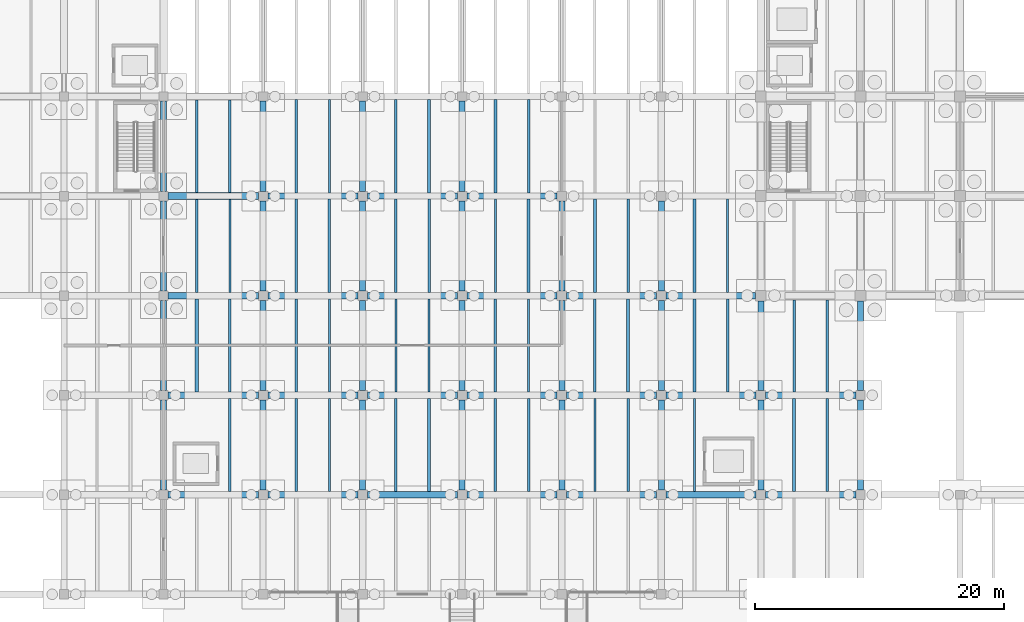
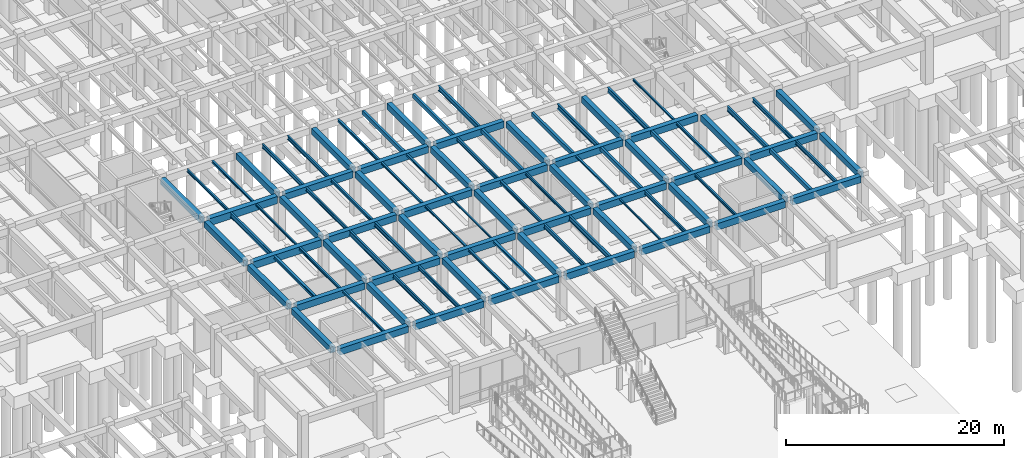
# One storey, part 15 of 44: 96 beams.
"""IFC4 building model written with IfcOpenShell, lengths in metres."""

from ifc_helpers import new_model, si_unit, direction, frame, origin, origin_2d, place, context, subcontext, project, spatial, rectangle, i_section, extrude, material, material_profile, profile_set, type_object, element, save


model = new_model("IFC4")

# Units and contexts
model_context = context("Model", 3, precision=1e-05, world=origin(), true_north=direction((0.0, 1.0)))
body_context = subcontext(model_context, "Body", "Model", "MODEL_VIEW")
ifc_project = project(units=[si_unit("LENGTHUNIT", "METRE"), si_unit("AREAUNIT", "SQUARE_METRE"), si_unit("VOLUMEUNIT", "CUBIC_METRE"), si_unit("PLANEANGLEUNIT", "RADIAN"), si_unit("MASSUNIT", "GRAM", prefix="KILO")], contexts=[model_context])

# Site, building, storey
site_placement = place(None, origin())
site = spatial("IfcSite", under=ifc_project, at=site_placement, CompositionType="ELEMENT")
building_placement = place(site_placement, origin())
building = spatial("IfcBuilding", under=site, at=building_placement, Name="Pecanmere Concourse Central Library", CompositionType="ELEMENT")
storey_placement = place(building_placement, frame((0.0, 0.0, -5.39990234375)))
storey = spatial("IfcBuildingStorey", under=building, at=storey_placement, Name="B1", CompositionType="ELEMENT", Elevation=-5.39990234375)

# Beams
ifc_material_1 = material(Name="Concrete C40/50", Category="concrete")
ifc_material_profile_1 = material_profile(ifc_material_1, rectangle(XDim=0.47998046875, YDim=0.679931640625, at=origin_2d()), Name="RC 480x680")
ifc_profile_set_1 = profile_set([ifc_material_profile_1], Name="Concrete C40/50")
beam_type_1 = type_object("IfcBeamType", Name="GRD_480x680", PredefinedType="USERDEFINED", material=ifc_profile_set_1)
for number, where, z_axis, x_axis, name in (
    (1, (64.0, 32.375, 4.639892578125), (0.0, 1.0, 0.0), (-1.0, 0.0, 0.0), "Primary Girder Y L01-0275"),
    (2, (64.0, 40.375, 4.639892578125), (0.0, 1.0, 0.0), (-1.0, 0.0, 0.0), "Primary Girder Y L01-0276"),
    (3, (64.0, 48.375, 4.639892578125), (0.0, 1.0, 0.0), (-1.0, 0.0, 0.0), "Primary Girder Y L01-0277"),
    (4, (64.0, 56.375, 4.639892578125), (0.0, 1.0, 0.0), (-1.0, 0.0, 0.0), "Primary Girder Y L01-0278"),
    (5, (72.0, 32.375, 4.639892578125), (0.0, 1.0, 0.0), (-1.0, 0.0, 0.0), "Primary Girder Y L01-0285"),
    (6, (72.0, 40.375, 4.639892578125), (0.0, 1.0, 0.0), (-1.0, 0.0, 0.0), "Primary Girder Y L01-0286"),
    (7, (72.0, 48.375, 4.639892578125), (0.0, 1.0, 0.0), (-1.0, 0.0, 0.0), "Primary Girder Y L01-0287"),
    (8, (72.0, 56.375, 4.639892578125), (0.0, 1.0, 0.0), (-1.0, 0.0, 0.0), "Primary Girder Y L01-0288"),
    (9, (80.0, 32.375, 4.639892578125), (0.0, 1.0, 0.0), (-1.0, 0.0, 0.0), "Primary Girder Y L01-0297"),
    (10, (80.0, 40.375, 4.639892578125), (0.0, 1.0, 0.0), (-1.0, 0.0, 0.0), "Primary Girder Y L01-0298"),
    (11, (80.0, 48.375, 4.639892578125), (0.0, 1.0, 0.0), (-1.0, 0.0, 0.0), "Primary Girder Y L01-0299"),
    (12, (80.0, 56.375, 4.639892578125), (0.0, 1.0, 0.0), (-1.0, 0.0, 0.0), "Primary Girder Y L01-0300"),
    (13, (88.0, 32.375, 4.639892578125), (0.0, 1.0, 0.0), (-1.0, 0.0, 0.0), "Primary Girder Y L01-0309"),
    (14, (88.0, 40.375, 4.639892578125), (0.0, 1.0, 0.0), (-1.0, 0.0, 0.0), "Primary Girder Y L01-0310"),
    (15, (88.0, 48.375, 4.639892578125), (0.0, 1.0, 0.0), (-1.0, 0.0, 0.0), "Primary Girder Y L01-0311"),
    (16, (88.0, 56.375, 4.639892578125), (0.0, 1.0, 0.0), (-1.0, 0.0, 0.0), "Primary Girder Y L01-0312"),
    (17, (96.0, 32.375, 4.639892578125), (0.0, 1.0, 0.0), (-1.0, 0.0, 0.0), "Primary Girder Y L01-0321"),
    (18, (96.0, 40.375, 4.639892578125), (0.0, 1.0, 0.0), (-1.0, 0.0, 0.0), "Primary Girder Y L01-0322"),
    (19, (96.0, 48.375, 4.639892578125), (0.0, 1.0, 0.0), (-1.0, 0.0, 0.0), "Primary Girder Y L01-0323"),
    (20, (104.0, 32.375, 4.639892578125), (0.0, 1.0, 0.0), (-1.0, 0.0, 0.0), "Primary Girder Y L01-0333"),
    (21, (104.0, 40.375, 4.639892578125), (0.0, 1.0, 0.0), (-1.0, 0.0, 0.0), "Primary Girder Y L01-0334"),
    (22, (104.0, 48.375, 4.639892578125), (0.0, 1.0, 0.0), (-1.0, 0.0, 0.0), "Primary Girder Y L01-0335"),
    (23, (112.0, 32.375, 4.639892578125), (0.0, 1.0, 0.0), (-1.0, 0.0, 0.0), "Primary Girder Y L01-0345"),
):
    element("IfcBeam", number, at=place(storey_placement, frame(where, z_axis=z_axis, x_axis=x_axis)), inside=storey, type_object=beam_type_1, Name=name, ObjectType="GIRDER", PredefinedType="USERDEFINED", context=body_context, shape_type="SweptSolid", body=[
        extrude(rectangle(XDim=0.47998046875, YDim=0.679931640625, at=origin_2d()), origin(), (0.0, 0.0, 1.0), 7.25),
    ])
beam_1_placement = place(storey_placement, frame((112.0, 40.375, 4.639892578125), z_axis=(0.0, 1.0, 0.0), x_axis=(-1.0, 0.0, 0.0)))
element("IfcBeam", 24, at=beam_1_placement, inside=storey, type_object=beam_type_1, Name="Primary Girder Y L01-0346", ObjectType="GIRDER", PredefinedType="USERDEFINED", context=body_context, shape_type="SweptSolid", body=[
    extrude(rectangle(XDim=0.47998046875, YDim=0.679931640625, at=origin_2d()), origin(), (0.0, 0.0, 1.0), 7.195068359375),
])
beam_2_placement = place(storey_placement, frame((120.0, 32.375, 4.639892578125), z_axis=(0.0, 1.0, 0.0), x_axis=(-1.0, 0.0, 0.0)))
element("IfcBeam", 25, at=beam_2_placement, inside=storey, type_object=beam_type_1, Name="Primary Girder Y L01-0355", ObjectType="GIRDER", PredefinedType="USERDEFINED", context=body_context, shape_type="SweptSolid", body=[
    extrude(rectangle(XDim=0.47998046875, YDim=0.679931640625, at=origin_2d()), origin(), (0.0, 0.0, 1.0), 7.25),
])
beam_3_placement = place(storey_placement, frame((120.0, 40.375, 4.639892578125), z_axis=(0.0, 1.0, 0.0), x_axis=(-1.0, 0.0, 0.0)))
element("IfcBeam", 26, at=beam_3_placement, inside=storey, type_object=beam_type_1, Name="Primary Girder Y L01-0356", ObjectType="GIRDER", PredefinedType="USERDEFINED", context=body_context, shape_type="SweptSolid", body=[
    extrude(rectangle(XDim=0.47998046875, YDim=0.679931640625, at=origin_2d()), origin(), (0.0, 0.0, 1.0), 7.195068359375),
])
ifc_material_2 = material(Name="Concrete C40/50", Category="concrete")
ifc_material_profile_2 = material_profile(ifc_material_2, rectangle(XDim=0.5, YDim=0.739990234375, at=origin_2d()), Name="RC 500x740")
ifc_profile_set_2 = profile_set([ifc_material_profile_2], Name="Concrete C40/50")
beam_type_2 = type_object("IfcBeamType", Name="GRD_500x740", PredefinedType="USERDEFINED", material=ifc_profile_set_2)
for number, where, z_axis, x_axis, name in (
    (27, (64.375, 32.0, 4.60986328125), (1.0, 0.0, 0.0), (0.0, 1.0, 0.0), "Primary Girder X L01-0064"),
    (28, (72.375, 32.0, 4.60986328125), (1.0, 0.0, 0.0), (0.0, 1.0, 0.0), "Primary Girder X L01-0065"),
    (29, (80.375, 32.0, 4.60986328125), (1.0, 0.0, 0.0), (0.0, 1.0, 0.0), "Primary Girder X L01-0066"),
    (30, (88.375, 32.0, 4.60986328125), (1.0, 0.0, 0.0), (0.0, 1.0, 0.0), "Primary Girder X L01-0067"),
    (31, (96.375, 32.0, 4.60986328125), (1.0, 0.0, 0.0), (0.0, 1.0, 0.0), "Primary Girder X L01-0068"),
    (32, (104.375, 32.0, 4.60986328125), (1.0, 0.0, 0.0), (0.0, 1.0, 0.0), "Primary Girder X L01-0069"),
    (33, (112.375, 32.0, 4.60986328125), (1.0, 0.0, 0.0), (0.0, 1.0, 0.0), "Primary Girder X L01-0070"),
    (34, (64.375, 40.0, 4.60986328125), (1.0, 0.0, 0.0), (0.0, 1.0, 0.0), "Primary Girder X L01-0078"),
    (35, (72.375, 40.0, 4.60986328125), (1.0, 0.0, 0.0), (0.0, 1.0, 0.0), "Primary Girder X L01-0079"),
    (36, (80.375, 40.0, 4.60986328125), (1.0, 0.0, 0.0), (0.0, 1.0, 0.0), "Primary Girder X L01-0080"),
    (37, (88.375, 40.0, 4.60986328125), (1.0, 0.0, 0.0), (0.0, 1.0, 0.0), "Primary Girder X L01-0081"),
    (38, (96.375, 40.0, 4.60986328125), (1.0, 0.0, 0.0), (0.0, 1.0, 0.0), "Primary Girder X L01-0082"),
    (39, (104.375, 40.0, 4.60986328125), (1.0, 0.0, 0.0), (0.0, 1.0, 0.0), "Primary Girder X L01-0083"),
    (40, (112.375, 40.0, 4.60986328125), (1.0, 0.0, 0.0), (0.0, 1.0, 0.0), "Primary Girder X L01-0084"),
    (41, (72.375, 48.0, 4.60986328125), (1.0, 0.0, 0.0), (0.0, 1.0, 0.0), "Primary Girder X L01-0091"),
    (42, (80.375, 48.0, 4.60986328125), (1.0, 0.0, 0.0), (0.0, 1.0, 0.0), "Primary Girder X L01-0092"),
    (43, (88.375, 48.0, 4.60986328125), (1.0, 0.0, 0.0), (0.0, 1.0, 0.0), "Primary Girder X L01-0093"),
    (44, (96.375, 48.0, 4.60986328125), (1.0, 0.0, 0.0), (0.0, 1.0, 0.0), "Primary Girder X L01-0094"),
):
    element("IfcBeam", number, at=place(storey_placement, frame(where, z_axis=z_axis, x_axis=x_axis)), inside=storey, type_object=beam_type_2, Name=name, ObjectType="GIRDER", PredefinedType="USERDEFINED", context=body_context, shape_type="SweptSolid", body=[
        extrude(rectangle(XDim=0.5, YDim=0.739990234375, at=origin_2d()), origin(), (0.0, 0.0, 1.0), 7.25),
    ])
beam_4_placement = place(storey_placement, frame((104.375, 48.0, 4.60986328125), z_axis=(1.0, 0.0, 0.0), x_axis=(0.0, 1.0, 0.0)))
element("IfcBeam", 45, at=beam_4_placement, inside=storey, type_object=beam_type_2, Name="Primary Girder X L01-0095", ObjectType="GIRDER", PredefinedType="USERDEFINED", context=body_context, shape_type="SweptSolid", body=[
    extrude(rectangle(XDim=0.5, YDim=0.739990234375, at=origin_2d()), origin(), (0.0, 0.0, 1.0), 7.195068359375),
])
for number, where, z_axis, x_axis, name in (
    (46, (72.375, 56.0, 4.60986328125), (1.0, 0.0, 0.0), (0.0, 1.0, 0.0), "Primary Girder X L01-0107"),
    (47, (80.375, 56.0, 4.60986328125), (1.0, 0.0, 0.0), (0.0, 1.0, 0.0), "Primary Girder X L01-0108"),
    (48, (88.375, 56.0, 4.60986328125), (1.0, 0.0, 0.0), (0.0, 1.0, 0.0), "Primary Girder X L01-0109"),
):
    element("IfcBeam", number, at=place(storey_placement, frame(where, z_axis=z_axis, x_axis=x_axis)), inside=storey, type_object=beam_type_2, Name=name, ObjectType="GIRDER", PredefinedType="USERDEFINED", context=body_context, shape_type="SweptSolid", body=[
        extrude(rectangle(XDim=0.5, YDim=0.739990234375, at=origin_2d()), origin(), (0.0, 0.0, 1.0), 7.25),
    ])
ifc_material_3 = material(Name="Concrete C40/50", Category="concrete")
ifc_material_profile_3 = material_profile(ifc_material_3, rectangle(XDim=0.5400390625, YDim=0.800048828125, at=origin_2d()), Name="RC 540x800")
ifc_profile_set_3 = profile_set([ifc_material_profile_3], Name="Concrete C40/50")
beam_type_3 = type_object("IfcBeamType", Name="GRD_540x800", PredefinedType="USERDEFINED", material=ifc_profile_set_3)
for number, where, z_axis, x_axis, name in (
    (49, (64.375, 48.0, 4.579833984375), (1.0, 0.0, 0.0), (0.0, 1.0, 0.0), "Primary Girder X L01-0090"),
    (50, (64.375, 56.0, 4.579833984375), (1.0, 0.0, 0.0), (0.0, 1.0, 0.0), "Primary Girder X L01-0106"),
):
    element("IfcBeam", number, at=place(storey_placement, frame(where, z_axis=z_axis, x_axis=x_axis)), inside=storey, type_object=beam_type_3, Name=name, ObjectType="GIRDER", PredefinedType="USERDEFINED", context=body_context, shape_type="SweptSolid", body=[
        extrude(rectangle(XDim=0.5400390625, YDim=0.800048828125, at=origin_2d()), origin(), (0.0, 0.0, 1.0), 7.25),
    ])
ifc_material_4 = material(Name="Concrete C40/50", Category="concrete")
ifc_material_profile_4 = material_profile(ifc_material_4, rectangle(XDim=0.25, YDim=0.449951171875, at=origin_2d()), Name="RC 250x450")
ifc_profile_set_4 = profile_set([ifc_material_profile_4], Name="Concrete C40/50")
beam_type_4 = type_object("IfcBeamType", Name="JST_RC_250x450", PredefinedType="JOIST", material=ifc_profile_set_4)
for number, where, z_axis, x_axis, name in (
    (51, (85.333251953125, 56.25, 4.7548828125), (0.0, 1.0, 0.0), (-1.0, 0.0, 0.0), "Secondary Floor Joist L01-0573"),
    (52, (93.333251953125, 48.25, 4.7548828125), (0.0, 1.0, 0.0), (-1.0, 0.0, 0.0), "Secondary Floor Joist L01-0595"),
    (53, (90.666748046875, 56.25, 4.7548828125), (0.0, 1.0, 0.0), (-1.0, 0.0, 0.0), "Secondary Floor Joist L01-0596"),
    (54, (101.333251953125, 40.25, 4.7548828125), (0.0, 1.0, 0.0), (-1.0, 0.0, 0.0), "Secondary Floor Joist L01-0617"),
    (55, (98.666748046875, 48.25, 4.7548828125), (0.0, 1.0, 0.0), (-1.0, 0.0, 0.0), "Secondary Floor Joist L01-0618"),
    (56, (106.666748046875, 40.25, 4.7548828125), (0.0, 1.0, 0.0), (-1.0, 0.0, 0.0), "Secondary Floor Joist L01-0636"),
    (57, (114.666748046875, 32.25, 4.7548828125), (0.0, 1.0, 0.0), (-1.0, 0.0, 0.0), "Secondary Floor Joist L01-0652"),
):
    element("IfcBeam", number, at=place(storey_placement, frame(where, z_axis=z_axis, x_axis=x_axis)), inside=storey, type_object=beam_type_4, Name=name, PredefinedType="JOIST", context=body_context, shape_type="SweptSolid", body=[
        extrude(rectangle(XDim=0.25, YDim=0.449951171875, at=origin_2d()), origin(), (0.0, 0.0, 1.0), 7.5),
    ])
ifc_material_5 = material(Name="Structural steel ASTM A992 Grade 50", Category="steel")
ifc_material_profile_5 = material_profile(ifc_material_5, i_section(OverallWidth=0.152099609375, OverallDepth=0.152099609375, WebThickness=0.005859375, FlangeThickness=0.006591796875, at=origin_2d()), Name="W150x22.5")
ifc_profile_set_5 = profile_set([ifc_material_profile_5], Name="Structural steel ASTM A992 Grade 50")
beam_type_5 = type_object("IfcBeamType", Name="SBM_W150x22", PredefinedType="LINTEL", material=ifc_profile_set_5)
for number, where, z_axis, x_axis, name in (
    (58, (85.333251953125, 40.25, 4.90380859375), (0.0, 1.0, 0.0), (-1.0, 0.0, 0.0), "Secondary Floor Joist L01-0569"),
    (59, (98.666748046875, 32.25, 4.90380859375), (0.0, 1.0, 0.0), (-1.0, 0.0, 0.0), "Secondary Floor Joist L01-0614"),
):
    element("IfcBeam", number, at=place(storey_placement, frame(where, z_axis=z_axis, x_axis=x_axis)), inside=storey, type_object=beam_type_5, Name=name, PredefinedType="LINTEL", context=body_context, shape_type="SweptSolid", body=[
        extrude(i_section(OverallWidth=0.152099609375, OverallDepth=0.152099609375, WebThickness=0.005859375, FlangeThickness=0.006591796875, at=origin_2d()), origin(), (0.0, 0.0, 1.0), 7.5),
    ])
ifc_material_6 = material(Name="Structural steel ASTM A992 Grade 50", Category="steel")
ifc_material_profile_6 = material_profile(ifc_material_6, i_section(OverallWidth=0.1650390625, OverallDepth=0.200927734375, WebThickness=0.006103515625, FlangeThickness=0.01025390625, at=origin_2d()), Name="W200x35.9")
ifc_profile_set_6 = profile_set([ifc_material_profile_6], Name="Structural steel ASTM A992 Grade 50")
beam_type_6 = type_object("IfcBeamType", Name="SBM_W200x36", PredefinedType="LINTEL", material=ifc_profile_set_6)
beam_5_placement = place(storey_placement, frame((69.333251953125, 48.27001953125, 4.87939453125), z_axis=(0.0, 1.0, 0.0), x_axis=(-1.0, 0.0, 0.0)))
element("IfcBeam", 60, at=beam_5_placement, inside=storey, type_object=beam_type_6, Name="Secondary Floor Joist L01-0532", PredefinedType="LINTEL", context=body_context, shape_type="SweptSolid", body=[
    extrude(i_section(OverallWidth=0.1650390625, OverallDepth=0.200927734375, WebThickness=0.006103515625, FlangeThickness=0.01025390625, at=origin_2d()), origin(), (0.0, 0.0, 1.0), 7.4599609375),
])
for number, where, z_axis, x_axis, name in (
    (61, (82.666748046875, 40.25, 4.87939453125), (0.0, 1.0, 0.0), (-1.0, 0.0, 0.0), "Secondary Floor Joist L01-0568"),
    (62, (109.333251953125, 48.25, 4.87939453125), (0.0, 1.0, 0.0), (-1.0, 0.0, 0.0), "Secondary Floor Joist L01-0639"),
):
    element("IfcBeam", number, at=place(storey_placement, frame(where, z_axis=z_axis, x_axis=x_axis)), inside=storey, type_object=beam_type_6, Name=name, PredefinedType="LINTEL", context=body_context, shape_type="SweptSolid", body=[
        extrude(i_section(OverallWidth=0.1650390625, OverallDepth=0.200927734375, WebThickness=0.006103515625, FlangeThickness=0.01025390625, at=origin_2d()), origin(), (0.0, 0.0, 1.0), 7.5),
    ])
ifc_material_7 = material(Name="Structural steel ASTM A992 Grade 50", Category="steel")
ifc_material_profile_7 = material_profile(ifc_material_7, i_section(OverallWidth=0.2041015625, OverallDepth=0.2060546875, WebThickness=0.0078125, FlangeThickness=0.0126953125, at=origin_2d()), Name="W200x52")
ifc_profile_set_7 = profile_set([ifc_material_profile_7], Name="Structural steel ASTM A992 Grade 50")
beam_type_7 = type_object("IfcBeamType", Name="SBM_W200x52", PredefinedType="JOIST", material=ifc_profile_set_7)
for number, where, z_axis, x_axis, name in (
    (63, (85.333251953125, 48.25, 4.876953125), (0.0, 1.0, 0.0), (-1.0, 0.0, 0.0), "Secondary Floor Joist L01-0571"),
    (64, (98.666748046875, 40.25, 4.876953125), (0.0, 1.0, 0.0), (-1.0, 0.0, 0.0), "Secondary Floor Joist L01-0616"),
):
    element("IfcBeam", number, at=place(storey_placement, frame(where, z_axis=z_axis, x_axis=x_axis)), inside=storey, type_object=beam_type_7, Name=name, PredefinedType="JOIST", context=body_context, shape_type="SweptSolid", body=[
        extrude(i_section(OverallWidth=0.2041015625, OverallDepth=0.2060546875, WebThickness=0.0078125, FlangeThickness=0.0126953125, at=origin_2d()), origin(), (0.0, 0.0, 1.0), 7.5),
    ])
ifc_material_8 = material(Name="Structural steel ASTM A992 Grade 50", Category="steel")
ifc_material_profile_8 = material_profile(ifc_material_8, i_section(OverallWidth=0.201904296875, OverallDepth=0.2470703125, WebThickness=0.00732421875, FlangeThickness=0.010986328125, at=origin_2d()), Name="W250x49.1")
ifc_profile_set_8 = profile_set([ifc_material_profile_8], Name="Structural steel ASTM A992 Grade 50")
beam_type_8 = type_object("IfcBeamType", Name="SBM_W250x49", PredefinedType="JOIST", material=ifc_profile_set_8)
beam_6_placement = place(storey_placement, frame((69.333251953125, 32.25, 4.8564453125), z_axis=(0.0, 1.0, 0.0), x_axis=(-1.0, 0.0, 0.0)))
element("IfcBeam", 65, at=beam_6_placement, inside=storey, type_object=beam_type_8, Name="Secondary Floor Joist L01-0528", PredefinedType="JOIST", context=body_context, shape_type="SweptSolid", body=[
    extrude(i_section(OverallWidth=0.201904296875, OverallDepth=0.2470703125, WebThickness=0.00732421875, FlangeThickness=0.010986328125, at=origin_2d()), origin(), (0.0, 0.0, 1.0), 7.5),
])
beam_7_placement = place(storey_placement, frame((69.333251953125, 56.27001953125, 4.8564453125), z_axis=(0.0, 1.0, 0.0), x_axis=(-1.0, 0.0, 0.0)))
element("IfcBeam", 66, at=beam_7_placement, inside=storey, type_object=beam_type_8, Name="Secondary Floor Joist L01-0534", PredefinedType="JOIST", context=body_context, shape_type="SweptSolid", body=[
    extrude(i_section(OverallWidth=0.201904296875, OverallDepth=0.2470703125, WebThickness=0.00732421875, FlangeThickness=0.010986328125, at=origin_2d()), origin(), (0.0, 0.0, 1.0), 7.4599609375),
])
beam_8_placement = place(storey_placement, frame((82.666748046875, 48.25, 4.8564453125), z_axis=(0.0, 1.0, 0.0), x_axis=(-1.0, 0.0, 0.0)))
element("IfcBeam", 67, at=beam_8_placement, inside=storey, type_object=beam_type_8, Name="Secondary Floor Joist L01-0570", PredefinedType="JOIST", context=body_context, shape_type="SweptSolid", body=[
    extrude(i_section(OverallWidth=0.201904296875, OverallDepth=0.2470703125, WebThickness=0.00732421875, FlangeThickness=0.010986328125, at=origin_2d()), origin(), (0.0, 0.0, 1.0), 7.5),
])
ifc_material_9 = material(Name="Structural steel ASTM A992 Grade 50", Category="steel")
ifc_material_profile_9 = material_profile(ifc_material_9, i_section(OverallWidth=0.25390625, OverallDepth=0.2529296875, WebThickness=0.008544921875, FlangeThickness=0.01416015625, at=origin_2d()), Name="W250x73")
ifc_profile_set_9 = profile_set([ifc_material_profile_9], Name="Structural steel ASTM A992 Grade 50")
beam_type_9 = type_object("IfcBeamType", Name="SBM_W250x73", PredefinedType="BEAM", material=ifc_profile_set_9)
beam_9_placement = place(storey_placement, frame((85.333251953125, 32.25, 4.853515625), z_axis=(0.0, 1.0, 0.0), x_axis=(-1.0, 0.0, 0.0)))
element("IfcBeam", 68, at=beam_9_placement, inside=storey, type_object=beam_type_9, Name="Secondary Floor Joist L01-0567", PredefinedType="BEAM", context=body_context, shape_type="SweptSolid", body=[
    extrude(i_section(OverallWidth=0.25390625, OverallDepth=0.2529296875, WebThickness=0.008544921875, FlangeThickness=0.01416015625, at=origin_2d()), origin(), (0.0, 0.0, 1.0), 7.5),
])
ifc_material_10 = material(Name="Structural steel ASTM A992 Grade 50", Category="steel")
ifc_material_profile_10 = material_profile(ifc_material_10, i_section(OverallWidth=0.1669921875, OverallDepth=0.31689453125, WebThickness=0.007568359375, FlangeThickness=0.01318359375, at=origin_2d()), Name="W310x52")
ifc_profile_set_10 = profile_set([ifc_material_profile_10], Name="Structural steel ASTM A992 Grade 50")
beam_type_10 = type_object("IfcBeamType", Name="SBM_W310x52", PredefinedType="JOIST", material=ifc_profile_set_10)
beam_10_placement = place(storey_placement, frame((66.666748046875, 56.27001953125, 4.8212890625), z_axis=(0.0, 1.0, 0.0), x_axis=(-1.0, 0.0, 0.0)))
element("IfcBeam", 69, at=beam_10_placement, inside=storey, type_object=beam_type_10, Name="Secondary Floor Joist L01-0533", PredefinedType="JOIST", context=body_context, shape_type="SweptSolid", body=[
    extrude(i_section(OverallWidth=0.1669921875, OverallDepth=0.31689453125, WebThickness=0.007568359375, FlangeThickness=0.01318359375, at=origin_2d()), origin(), (0.0, 0.0, 1.0), 7.4599609375),
])
for number, where, z_axis, x_axis, name in (
    (70, (93.333251953125, 40.25, 4.8212890625), (0.0, 1.0, 0.0), (-1.0, 0.0, 0.0), "Secondary Floor Joist L01-0593"),
    (71, (106.666748046875, 32.25, 4.8212890625), (0.0, 1.0, 0.0), (-1.0, 0.0, 0.0), "Secondary Floor Joist L01-0635"),
):
    element("IfcBeam", number, at=place(storey_placement, frame(where, z_axis=z_axis, x_axis=x_axis)), inside=storey, type_object=beam_type_10, Name=name, PredefinedType="JOIST", context=body_context, shape_type="SweptSolid", body=[
        extrude(i_section(OverallWidth=0.1669921875, OverallDepth=0.31689453125, WebThickness=0.007568359375, FlangeThickness=0.01318359375, at=origin_2d()), origin(), (0.0, 0.0, 1.0), 7.5),
    ])
ifc_material_11 = material(Name="Structural steel ASTM A992 Grade 50", Category="steel")
ifc_material_profile_11 = material_profile(ifc_material_11, i_section(OverallWidth=0.205078125, OverallDepth=0.31005859375, WebThickness=0.009521484375, FlangeThickness=0.016357421875, at=origin_2d()), Name="W310x74")
ifc_profile_set_11 = profile_set([ifc_material_profile_11], Name="Structural steel ASTM A992 Grade 50")
beam_type_11 = type_object("IfcBeamType", Name="SBM_W310x74", PredefinedType="BEAM", material=ifc_profile_set_11)
beam_11_placement = place(storey_placement, frame((69.333251953125, 40.25, 4.824951171875), z_axis=(0.0, 1.0, 0.0), x_axis=(-1.0, 0.0, 0.0)))
element("IfcBeam", 72, at=beam_11_placement, inside=storey, type_object=beam_type_11, Name="Secondary Floor Joist L01-0530", PredefinedType="BEAM", context=body_context, shape_type="SweptSolid", body=[
    extrude(i_section(OverallWidth=0.205078125, OverallDepth=0.31005859375, WebThickness=0.009521484375, FlangeThickness=0.016357421875, at=origin_2d()), origin(), (0.0, 0.0, 1.0), 7.47998046875),
])
for number, where, z_axis, x_axis, name in (
    (73, (82.666748046875, 32.25, 4.824951171875), (0.0, 1.0, 0.0), (-1.0, 0.0, 0.0), "Secondary Floor Joist L01-0566"),
    (74, (82.666748046875, 56.25, 4.824951171875), (0.0, 1.0, 0.0), (-1.0, 0.0, 0.0), "Secondary Floor Joist L01-0572"),
    (75, (109.333251953125, 40.25, 4.824951171875), (0.0, 1.0, 0.0), (-1.0, 0.0, 0.0), "Secondary Floor Joist L01-0637"),
):
    element("IfcBeam", number, at=place(storey_placement, frame(where, z_axis=z_axis, x_axis=x_axis)), inside=storey, type_object=beam_type_11, Name=name, PredefinedType="BEAM", context=body_context, shape_type="SweptSolid", body=[
        extrude(i_section(OverallWidth=0.205078125, OverallDepth=0.31005859375, WebThickness=0.009521484375, FlangeThickness=0.016357421875, at=origin_2d()), origin(), (0.0, 0.0, 1.0), 7.5),
    ])
ifc_material_12 = material(Name="Structural steel ASTM A992 Grade 50", Category="steel")
ifc_material_profile_12 = material_profile(ifc_material_12, i_section(OverallWidth=0.202880859375, OverallDepth=0.346923828125, WebThickness=0.0078125, FlangeThickness=0.013427734375, at=origin_2d()), Name="W360x64")
ifc_profile_set_12 = profile_set([ifc_material_profile_12], Name="Structural steel ASTM A992 Grade 50")
beam_type_12 = type_object("IfcBeamType", Name="SBM_W360x64", PredefinedType="JOIST", material=ifc_profile_set_12)
for number, where, z_axis, x_axis, name in (
    (76, (77.333251953125, 48.25, 4.806396484375), (0.0, 1.0, 0.0), (-1.0, 0.0, 0.0), "Secondary Floor Joist L01-0550"),
    (77, (90.666748046875, 40.25, 4.806396484375), (0.0, 1.0, 0.0), (-1.0, 0.0, 0.0), "Secondary Floor Joist L01-0592"),
):
    element("IfcBeam", number, at=place(storey_placement, frame(where, z_axis=z_axis, x_axis=x_axis)), inside=storey, type_object=beam_type_12, Name=name, PredefinedType="JOIST", context=body_context, shape_type="SweptSolid", body=[
        extrude(i_section(OverallWidth=0.202880859375, OverallDepth=0.346923828125, WebThickness=0.0078125, FlangeThickness=0.013427734375, at=origin_2d()), origin(), (0.0, 0.0, 1.0), 7.5),
    ])
ifc_material_13 = material(Name="Structural steel ASTM A992 Grade 50", Category="steel")
ifc_material_profile_13 = material_profile(ifc_material_13, i_section(OverallWidth=0.25390625, OverallDepth=0.35302734375, WebThickness=0.009521484375, FlangeThickness=0.016357421875, at=origin_2d()), Name="W360x91")
ifc_profile_set_13 = profile_set([ifc_material_profile_13], Name="Structural steel ASTM A992 Grade 50")
beam_type_13 = type_object("IfcBeamType", Name="SBM_W360x91", PredefinedType="BEAM", material=ifc_profile_set_13)
beam_12_placement = place(storey_placement, frame((66.666748046875, 40.25, 4.803466796875), z_axis=(0.0, 1.0, 0.0), x_axis=(-1.0, 0.0, 0.0)))
element("IfcBeam", 78, at=beam_12_placement, inside=storey, type_object=beam_type_13, Name="Secondary Floor Joist L01-0529", PredefinedType="BEAM", context=body_context, shape_type="SweptSolid", body=[
    extrude(i_section(OverallWidth=0.25390625, OverallDepth=0.35302734375, WebThickness=0.009521484375, FlangeThickness=0.016357421875, at=origin_2d()), origin(), (0.0, 0.0, 1.0), 7.47998046875),
])
ifc_material_14 = material(Name="Structural steel ASTM A992 Grade 50", Category="steel")
ifc_material_profile_14 = material_profile(ifc_material_14, i_section(OverallWidth=0.177978515625, OverallDepth=0.406982421875, WebThickness=0.0078125, FlangeThickness=0.0126953125, at=origin_2d()), Name="W410x60")
ifc_profile_set_14 = profile_set([ifc_material_profile_14], Name="Structural steel ASTM A992 Grade 50")
beam_type_14 = type_object("IfcBeamType", Name="SBM_W410x60", PredefinedType="JOIST", material=ifc_profile_set_14)
for number, where, z_axis, x_axis, name in (
    (79, (74.666748046875, 48.25, 4.7763671875), (0.0, 1.0, 0.0), (-1.0, 0.0, 0.0), "Secondary Floor Joist L01-0549"),
    (80, (101.333251953125, 32.25, 4.7763671875), (0.0, 1.0, 0.0), (-1.0, 0.0, 0.0), "Secondary Floor Joist L01-0615"),
):
    element("IfcBeam", number, at=place(storey_placement, frame(where, z_axis=z_axis, x_axis=x_axis)), inside=storey, type_object=beam_type_14, Name=name, PredefinedType="JOIST", context=body_context, shape_type="SweptSolid", body=[
        extrude(i_section(OverallWidth=0.177978515625, OverallDepth=0.406982421875, WebThickness=0.0078125, FlangeThickness=0.0126953125, at=origin_2d()), origin(), (0.0, 0.0, 1.0), 7.5),
    ])
ifc_material_15 = material(Name="Structural steel ASTM A992 Grade 50", Category="steel")
ifc_material_profile_15 = material_profile(ifc_material_15, i_section(OverallWidth=0.180908203125, OverallDepth=0.4169921875, WebThickness=0.010986328125, FlangeThickness=0.018310546875, at=origin_2d()), Name="W410x85")
ifc_profile_set_15 = profile_set([ifc_material_profile_15], Name="Structural steel ASTM A992 Grade 50")
beam_type_15 = type_object("IfcBeamType", Name="SBM_W410x85", PredefinedType="BEAM", material=ifc_profile_set_15)
for number, where, z_axis, x_axis, name in (
    (81, (77.333251953125, 32.25, 4.771484375), (0.0, 1.0, 0.0), (-1.0, 0.0, 0.0), "Secondary Floor Joist L01-0546"),
    (82, (77.333251953125, 56.25, 4.771484375), (0.0, 1.0, 0.0), (-1.0, 0.0, 0.0), "Secondary Floor Joist L01-0552"),
    (83, (90.666748046875, 48.25, 4.771484375), (0.0, 1.0, 0.0), (-1.0, 0.0, 0.0), "Secondary Floor Joist L01-0594"),
    (84, (117.333251953125, 32.25, 4.771484375), (0.0, 1.0, 0.0), (-1.0, 0.0, 0.0), "Secondary Floor Joist L01-0653"),
):
    element("IfcBeam", number, at=place(storey_placement, frame(where, z_axis=z_axis, x_axis=x_axis)), inside=storey, type_object=beam_type_15, Name=name, PredefinedType="BEAM", context=body_context, shape_type="SweptSolid", body=[
        extrude(i_section(OverallWidth=0.180908203125, OverallDepth=0.4169921875, WebThickness=0.010986328125, FlangeThickness=0.018310546875, at=origin_2d()), origin(), (0.0, 0.0, 1.0), 7.5),
    ])
ifc_material_16 = material(Name="Structural steel ASTM A992 Grade 50", Category="steel")
ifc_material_profile_16 = material_profile(ifc_material_16, i_section(OverallWidth=0.194091796875, OverallDepth=0.468994140625, WebThickness=0.0126953125, FlangeThickness=0.0205078125, at=origin_2d()), Name="W460x106")
ifc_profile_set_16 = profile_set([ifc_material_profile_16], Name="Structural steel ASTM A992 Grade 50")
beam_type_16 = type_object("IfcBeamType", Name="SBM_W460x106", PredefinedType="USERDEFINED", material=ifc_profile_set_16)
for number, where, z_axis, x_axis, name in (
    (85, (77.333251953125, 40.25, 4.745361328125), (0.0, 1.0, 0.0), (-1.0, 0.0, 0.0), "Secondary Floor Joist L01-0548"),
    (86, (90.666748046875, 32.25, 4.745361328125), (0.0, 1.0, 0.0), (-1.0, 0.0, 0.0), "Secondary Floor Joist L01-0590"),
):
    element("IfcBeam", number, at=place(storey_placement, frame(where, z_axis=z_axis, x_axis=x_axis)), inside=storey, type_object=beam_type_16, Name=name, ObjectType="GIRDER", PredefinedType="USERDEFINED", context=body_context, shape_type="SweptSolid", body=[
        extrude(i_section(OverallWidth=0.194091796875, OverallDepth=0.468994140625, WebThickness=0.0126953125, FlangeThickness=0.0205078125, at=origin_2d()), origin(), (0.0, 0.0, 1.0), 7.5),
    ])
beam_13_placement = place(storey_placement, frame((117.333251953125, 40.25, 4.745361328125), z_axis=(0.0, 1.0, 0.0), x_axis=(-1.0, 0.0, 0.0)))
element("IfcBeam", 87, at=beam_13_placement, inside=storey, type_object=beam_type_16, Name="Secondary Floor Joist L01-0655", ObjectType="GIRDER", PredefinedType="USERDEFINED", context=body_context, shape_type="SweptSolid", body=[
    extrude(i_section(OverallWidth=0.194091796875, OverallDepth=0.468994140625, WebThickness=0.0126953125, FlangeThickness=0.0205078125, at=origin_2d()), origin(), (0.0, 0.0, 1.0), 7.389892578125),
])
ifc_material_17 = material(Name="Structural steel ASTM A992 Grade 50", Category="steel")
ifc_material_profile_17 = material_profile(ifc_material_17, i_section(OverallWidth=0.18994140625, OverallDepth=0.45703125, WebThickness=0.009033203125, FlangeThickness=0.014404296875, at=origin_2d()), Name="W460x74")
ifc_profile_set_17 = profile_set([ifc_material_profile_17], Name="Structural steel ASTM A992 Grade 50")
beam_type_17 = type_object("IfcBeamType", Name="SBM_W460x74", PredefinedType="BEAM", material=ifc_profile_set_17)
for number, where, z_axis, x_axis, name in (
    (88, (74.666748046875, 32.25, 4.75146484375), (0.0, 1.0, 0.0), (-1.0, 0.0, 0.0), "Secondary Floor Joist L01-0545"),
    (89, (74.666748046875, 56.25, 4.75146484375), (0.0, 1.0, 0.0), (-1.0, 0.0, 0.0), "Secondary Floor Joist L01-0551"),
):
    element("IfcBeam", number, at=place(storey_placement, frame(where, z_axis=z_axis, x_axis=x_axis)), inside=storey, type_object=beam_type_17, Name=name, PredefinedType="BEAM", context=body_context, shape_type="SweptSolid", body=[
        extrude(i_section(OverallWidth=0.18994140625, OverallDepth=0.45703125, WebThickness=0.009033203125, FlangeThickness=0.014404296875, at=origin_2d()), origin(), (0.0, 0.0, 1.0), 7.5),
    ])
ifc_material_18 = material(Name="Structural steel ASTM A992 Grade 50", Category="steel")
ifc_material_profile_18 = material_profile(ifc_material_18, i_section(OverallWidth=0.2109375, OverallDepth=0.5390625, WebThickness=0.01171875, FlangeThickness=0.018798828125, at=origin_2d()), Name="W530x109")
ifc_profile_set_18 = profile_set([ifc_material_profile_18], Name="Structural steel ASTM A992 Grade 50")
beam_type_18 = type_object("IfcBeamType", Name="SBM_W530x109", PredefinedType="USERDEFINED", material=ifc_profile_set_18)
beam_14_placement = place(storey_placement, frame((66.666748046875, 48.27001953125, 4.71044921875), z_axis=(0.0, 1.0, 0.0), x_axis=(-1.0, 0.0, 0.0)))
element("IfcBeam", 90, at=beam_14_placement, inside=storey, type_object=beam_type_18, Name="Secondary Floor Joist L01-0531", ObjectType="GIRDER", PredefinedType="USERDEFINED", context=body_context, shape_type="SweptSolid", body=[
    extrude(i_section(OverallWidth=0.2109375, OverallDepth=0.5390625, WebThickness=0.01171875, FlangeThickness=0.018798828125, at=origin_2d()), origin(), (0.0, 0.0, 1.0), 7.4599609375),
])
for number, where, z_axis, x_axis, name in (
    (91, (93.333251953125, 32.25, 4.71044921875), (0.0, 1.0, 0.0), (-1.0, 0.0, 0.0), "Secondary Floor Joist L01-0591"),
    (92, (93.333251953125, 56.25, 4.71044921875), (0.0, 1.0, 0.0), (-1.0, 0.0, 0.0), "Secondary Floor Joist L01-0597"),
    (93, (106.666748046875, 48.25, 4.71044921875), (0.0, 1.0, 0.0), (-1.0, 0.0, 0.0), "Secondary Floor Joist L01-0638"),
):
    element("IfcBeam", number, at=place(storey_placement, frame(where, z_axis=z_axis, x_axis=x_axis)), inside=storey, type_object=beam_type_18, Name=name, ObjectType="GIRDER", PredefinedType="USERDEFINED", context=body_context, shape_type="SweptSolid", body=[
        extrude(i_section(OverallWidth=0.2109375, OverallDepth=0.5390625, WebThickness=0.01171875, FlangeThickness=0.018798828125, at=origin_2d()), origin(), (0.0, 0.0, 1.0), 7.5),
    ])
ifc_material_19 = material(Name="Structural steel ASTM A992 Grade 50", Category="steel")
ifc_material_profile_19 = material_profile(ifc_material_19, i_section(OverallWidth=0.208984375, OverallDepth=0.532958984375, WebThickness=0.01025390625, FlangeThickness=0.015625, at=origin_2d()), Name="W530x92")
ifc_profile_set_19 = profile_set([ifc_material_profile_19], Name="Structural steel ASTM A992 Grade 50")
beam_type_19 = type_object("IfcBeamType", Name="SBM_W530x92", PredefinedType="BEAM", material=ifc_profile_set_19)
for number, where, z_axis, x_axis, name in (
    (94, (74.666748046875, 40.25, 4.71337890625), (0.0, 1.0, 0.0), (-1.0, 0.0, 0.0), "Secondary Floor Joist L01-0547"),
    (95, (101.333251953125, 48.25, 4.71337890625), (0.0, 1.0, 0.0), (-1.0, 0.0, 0.0), "Secondary Floor Joist L01-0619"),
):
    element("IfcBeam", number, at=place(storey_placement, frame(where, z_axis=z_axis, x_axis=x_axis)), inside=storey, type_object=beam_type_19, Name=name, PredefinedType="BEAM", context=body_context, shape_type="SweptSolid", body=[
        extrude(i_section(OverallWidth=0.208984375, OverallDepth=0.532958984375, WebThickness=0.01025390625, FlangeThickness=0.015625, at=origin_2d()), origin(), (0.0, 0.0, 1.0), 7.5),
    ])
beam_15_placement = place(storey_placement, frame((114.666748046875, 40.25, 4.71337890625), z_axis=(0.0, 1.0, 0.0), x_axis=(-1.0, 0.0, 0.0)))
element("IfcBeam", 96, at=beam_15_placement, inside=storey, type_object=beam_type_19, Name="Secondary Floor Joist L01-0654", PredefinedType="BEAM", context=body_context, shape_type="SweptSolid", body=[
    extrude(i_section(OverallWidth=0.208984375, OverallDepth=0.532958984375, WebThickness=0.01025390625, FlangeThickness=0.015625, at=origin_2d()), origin(), (0.0, 0.0, 1.0), 7.389892578125),
])

save(model, "model.ifc")
